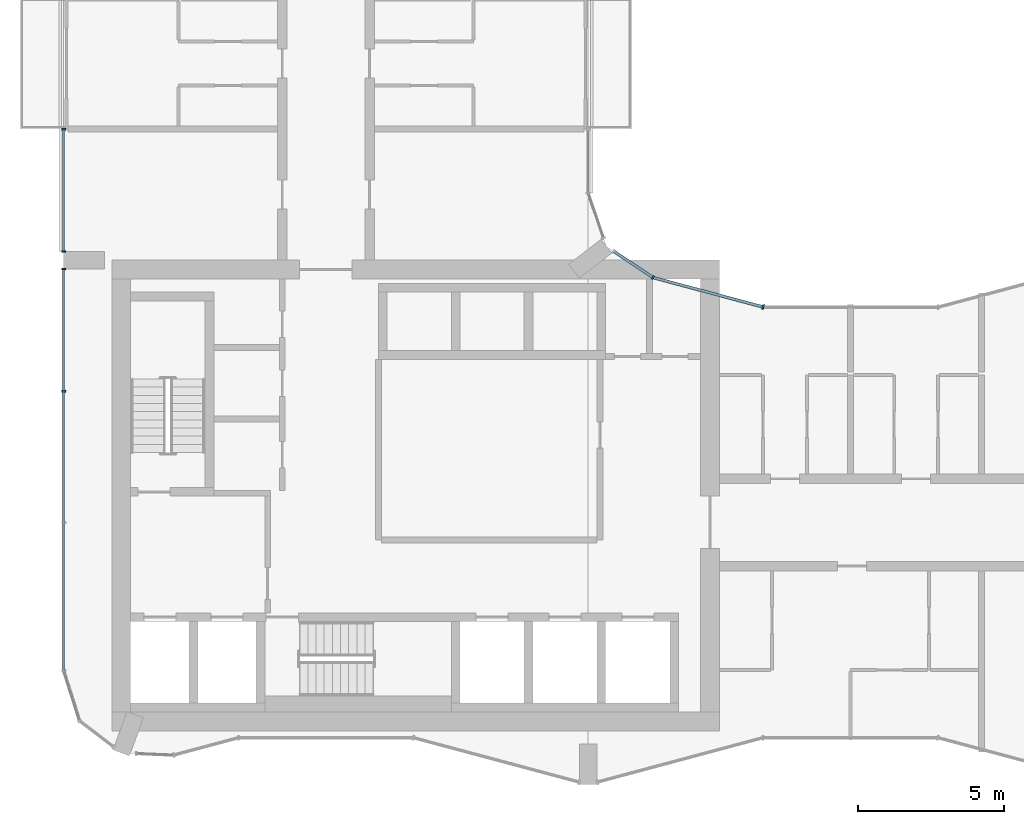
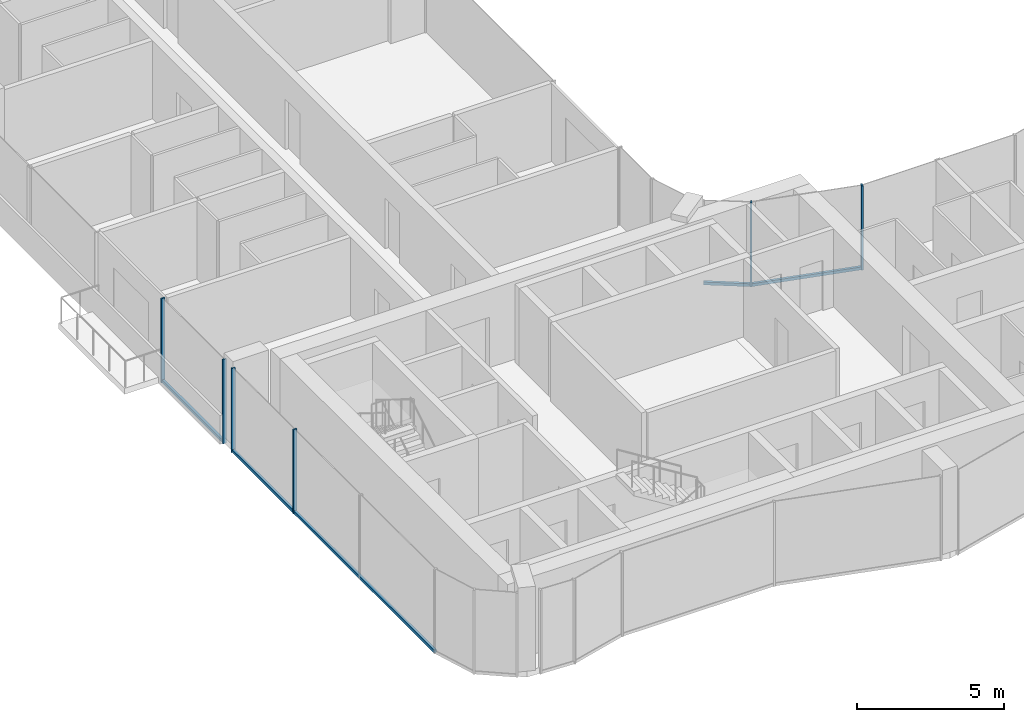
# One storey, part 3 of 22: 10 members, 4 elements without a shape of their own.
"""IFC4 building model written with IfcOpenShell, lengths in metres."""

from ifc_helpers import new_model, si_unit, direction, frame, origin, origin_2d, place, context, subcontext, project, spatial, rectangle, extrude, material, layer, layer_set, material_profile, profile_set, type_object, element, aggregate, save


model = new_model("IFC4")

# Units and contexts
model_context = context("Model", 3, precision=1e-05, world=origin(), true_north=direction((0.0, 1.0)))
body_context = subcontext(model_context, "Body", "Model", "MODEL_VIEW")
ifc_project = project(units=[si_unit("LENGTHUNIT", "METRE"), si_unit("AREAUNIT", "SQUARE_METRE"), si_unit("VOLUMEUNIT", "CUBIC_METRE"), si_unit("PLANEANGLEUNIT", "RADIAN"), si_unit("MASSUNIT", "GRAM", prefix="KILO")], contexts=[model_context])

# Site, building, storey
site_placement = place(None, origin())
site = spatial("IfcSite", under=ifc_project, at=site_placement, CompositionType="ELEMENT")
building_placement = place(site_placement, origin())
building = spatial("IfcBuilding", under=site, at=building_placement, Name="Plateau Cross Towers", CompositionType="ELEMENT")
storey_placement = place(building_placement, frame((0.0, 0.0, 102.800048828125)))
storey = spatial("IfcBuildingStorey", under=building, at=storey_placement, Name="L26", CompositionType="ELEMENT", Elevation=102.800048828125)

# Curtain wall, member
ifc_material_1 = material(Name="Dark low-iron glass", Category="glass")
ifc_layer_1 = layer(ifc_material_1, 0.239990234375)
ifc_layer_set_1 = layer_set([ifc_layer_1], Name="Dark low-iron glass")
curtain_wall_type_1 = type_object("IfcCurtainWallType", Name="Curtain wall flush unitised CW-B", PredefinedType="NOTDEFINED", material=ifc_layer_set_1)
curtain_wall_1_placement = place(storey_placement, origin())
curtain_wall_1 = element("IfcCurtainWall", 1, at=curtain_wall_1_placement, inside=storey, type_object=curtain_wall_type_1, Name="ENV/A/L26/A202_174", PredefinedType="NOTDEFINED")
ifc_material_2 = material(Name="Black anodised aluminium", Category="aluminium")
ifc_material_profile_1 = material_profile(ifc_material_2, rectangle(XDim=0.06005859375, YDim=0.139892578125, at=origin_2d()), Name="MULLION 60x140")
ifc_profile_set_1 = profile_set([ifc_material_profile_1], Name="Black anodised aluminium")
member_type_1 = type_object("IfcMemberType", Name="Mullion 60x140 flush unitised", PredefinedType="MULLION", material=ifc_profile_set_1)
member_1_placement = place(storey_placement, frame((20.223876953125, 17.404296875, -0.25), z_axis=(0.0, 0.0, 1.0), x_axis=(-0.831521253329, 0.555492938984, 0.0)))
member_1 = element("IfcMember", 2, at=member_1_placement, type_object=member_type_1, Name="CW-B mullion 1", PredefinedType="MULLION", context=body_context, shape_type="SweptSolid", body=[
    extrude(rectangle(XDim=0.06005859375, YDim=0.139892578125, at=origin_2d()), origin(), (0.0, 0.0, 1.0), 3.5),
])

# Curtain wall, members
curtain_wall_2_placement = place(storey_placement, origin())
curtain_wall_2 = element("IfcCurtainWall", 3, at=curtain_wall_2_placement, inside=storey, type_object=curtain_wall_type_1, Name="ENV/A/L26/A0_225", PredefinedType="NOTDEFINED")
member_2_placement = place(storey_placement, frame((0.0, 22.489990234375, -0.25), z_axis=(0.0, 0.0, 1.0), x_axis=(0.0, -1.0, 0.0)))
member_2 = element("IfcMember", 4, at=member_2_placement, type_object=member_type_1, Name="CW-B mullion 1", PredefinedType="MULLION", context=body_context, shape_type="SweptSolid", body=[
    extrude(rectangle(XDim=0.06005859375, YDim=0.139892578125, at=origin_2d()), origin(), (0.0, 0.0, 1.0), 3.5),
])
member_3_placement = place(storey_placement, frame((0.0, 18.300048828125, -0.25), z_axis=(0.0, 0.0, 1.0), x_axis=(0.0, -1.0, 0.0)))
member_3 = element("IfcMember", 5, at=member_3_placement, type_object=member_type_1, Name="CW-B mullion 2", PredefinedType="MULLION", context=body_context, shape_type="SweptSolid", body=[
    extrude(rectangle(XDim=0.06005859375, YDim=0.139892578125, at=origin_2d()), origin(), (0.0, 0.0, 1.0), 3.5),
])

curtain_wall_3_placement = place(storey_placement, origin())
curtain_wall_3 = element("IfcCurtainWall", 6, at=curtain_wall_3_placement, inside=storey, type_object=curtain_wall_type_1, Name="ENV/A/L26/A0_177", PredefinedType="NOTDEFINED")
member_4_placement = place(storey_placement, frame((0.0, 17.699951171875, -0.25), z_axis=(0.0, 0.0, 1.0), x_axis=(0.0, -1.0, 0.0)))
member_4 = element("IfcMember", 7, at=member_4_placement, type_object=member_type_1, Name="CW-B mullion 1", PredefinedType="MULLION", context=body_context, shape_type="SweptSolid", body=[
    extrude(rectangle(XDim=0.06005859375, YDim=0.139892578125, at=origin_2d()), origin(), (0.0, 0.0, 1.0), 3.5),
])
member_5_placement = place(storey_placement, frame((0.0, 13.5, -0.25), z_axis=(0.0, 0.0, 1.0), x_axis=(0.0, -1.0, 0.0)))
member_5 = element("IfcMember", 8, at=member_5_placement, type_object=member_type_1, Name="CW-B mullion 2", PredefinedType="MULLION", context=body_context, shape_type="SweptSolid", body=[
    extrude(rectangle(XDim=0.06005859375, YDim=0.139892578125, at=origin_2d()), origin(), (0.0, 0.0, 1.0), 3.5),
])

# Curtain wall, member
ifc_layer_2 = layer(ifc_material_1, 0.260009765625)
ifc_layer_set_2 = layer_set([ifc_layer_2], Name="Dark low-iron glass")
curtain_wall_type_2 = type_object("IfcCurtainWallType", Name="Curtain wall fluted unitised CW-A", PredefinedType="NOTDEFINED", material=ifc_layer_set_2)
curtain_wall_4_placement = place(storey_placement, origin())
curtain_wall_4 = element("IfcCurtainWall", 9, at=curtain_wall_4_placement, inside=storey, type_object=curtain_wall_type_2, Name="ENV/A/L26/A240_164", PredefinedType="NOTDEFINED")
ifc_material_profile_2 = material_profile(ifc_material_2, rectangle(XDim=0.06005859375, YDim=0.159912109375, at=origin_2d()), Name="MULLION 60x160")
ifc_profile_set_2 = profile_set([ifc_material_profile_2], Name="Black anodised aluminium")
member_type_2 = type_object("IfcMemberType", Name="Mullion 60x160 fluted unitised", PredefinedType="MULLION", material=ifc_profile_set_2)
member_6_placement = place(storey_placement, frame((24.0, 16.39306640625, -0.25), z_axis=(0.0, 0.0, 1.0), x_axis=(-0.965957995816, 0.258698956933, 0.0)))
member_6 = element("IfcMember", 10, at=member_6_placement, type_object=member_type_2, Name="CW-A mullion 1", PredefinedType="MULLION", context=body_context, shape_type="SweptSolid", body=[
    extrude(rectangle(XDim=0.06005859375, YDim=0.159912109375, at=origin_2d()), origin(), (0.0, 0.0, 1.0), 3.5),
])

# Member
ifc_material_profile_3 = material_profile(ifc_material_2, rectangle(XDim=0.10009765625, YDim=0.1201171875, at=origin_2d()), Name="TRANSOM 100x120")
ifc_profile_set_3 = profile_set([ifc_material_profile_3], Name="Black anodised aluminium")
member_type_3 = type_object("IfcMemberType", Name="Transom 100x120 flush unitised", PredefinedType="USERDEFINED", material=ifc_profile_set_3)
member_7_placement = place(storey_placement, frame((20.223876953125, 17.404296875, -0.18994140625), z_axis=(-0.831496402487, 0.555530136582, 0.0), x_axis=(-0.555530136582, -0.831496402487, 0.0)))
member_7 = element("IfcMember", 11, at=member_7_placement, type_object=member_type_3, Name="CW-B transom", ObjectType="TRANSOM", PredefinedType="USERDEFINED", context=body_context, shape_type="SweptSolid", body=[
    extrude(rectangle(XDim=0.10009765625, YDim=0.1201171875, at=origin_2d()), origin(), (0.0, 0.0, 1.0), 1.628662109375),
])

aggregate(curtain_wall_1, [member_1, member_7])

member_8_placement = place(storey_placement, frame((0.0, 22.489990234375, -0.18994140625), z_axis=(0.0, -1.0, 0.0), x_axis=(1.0, 0.0, 0.0)))
member_8 = element("IfcMember", 12, at=member_8_placement, type_object=member_type_3, Name="CW-B transom", ObjectType="TRANSOM", PredefinedType="USERDEFINED", context=body_context, shape_type="SweptSolid", body=[
    extrude(rectangle(XDim=0.10009765625, YDim=0.1201171875, at=origin_2d()), origin(), (0.0, 0.0, 1.0), 4.18994140625),
])

aggregate(curtain_wall_2, [member_2, member_3, member_8])

member_9_placement = place(storey_placement, frame((0.0, 17.699951171875, -0.18994140625), z_axis=(0.0, -1.0, 0.0), x_axis=(1.0, 0.0, 0.0)))
member_9 = element("IfcMember", 13, at=member_9_placement, type_object=member_type_3, Name="CW-B transom", ObjectType="TRANSOM", PredefinedType="USERDEFINED", context=body_context, shape_type="SweptSolid", body=[
    extrude(rectangle(XDim=0.10009765625, YDim=0.1201171875, at=origin_2d()), origin(), (0.0, 0.0, 1.0), 13.790771484375),
])

aggregate(curtain_wall_3, [member_4, member_5, member_9])

ifc_material_profile_4 = material_profile(ifc_material_2, rectangle(XDim=0.10009765625, YDim=0.1201171875, at=origin_2d()), Name="TRANSOM 100x120")
ifc_profile_set_4 = profile_set([ifc_material_profile_4], Name="Black anodised aluminium")
member_type_4 = type_object("IfcMemberType", Name="Transom 100x120 fluted unitised", PredefinedType="USERDEFINED", material=ifc_profile_set_4)
member_10_placement = place(storey_placement, frame((24.0, 16.39306640625, -0.18994140625), z_axis=(-0.965962822393, 0.25868093427, 0.0), x_axis=(-0.25868093427, -0.965962822393, 0.0)))
member_10 = element("IfcMember", 14, at=member_10_placement, type_object=member_type_4, Name="CW-A transom", ObjectType="TRANSOM", PredefinedType="USERDEFINED", context=body_context, shape_type="SweptSolid", body=[
    extrude(rectangle(XDim=0.10009765625, YDim=0.1201171875, at=origin_2d()), origin(), (0.0, 0.0, 1.0), 3.9091796875),
])

aggregate(curtain_wall_4, [member_6, member_10])

save(model, "model.ifc")
